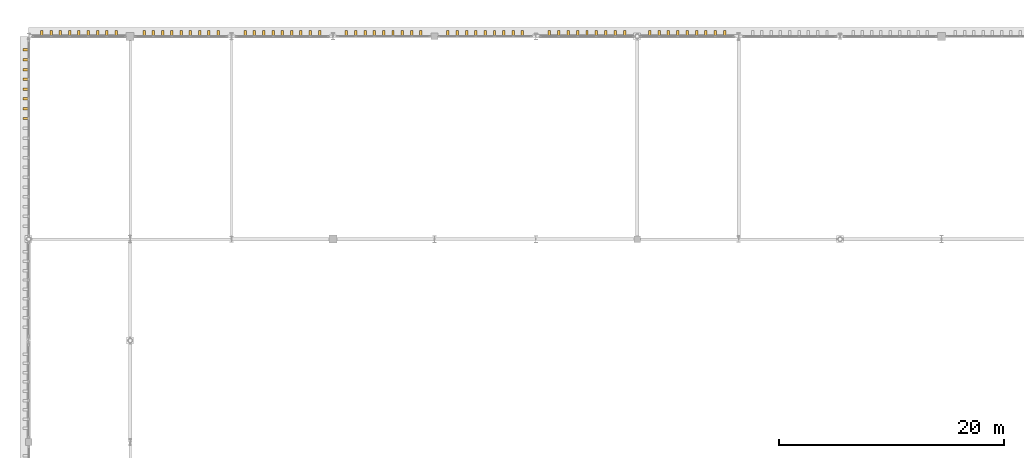
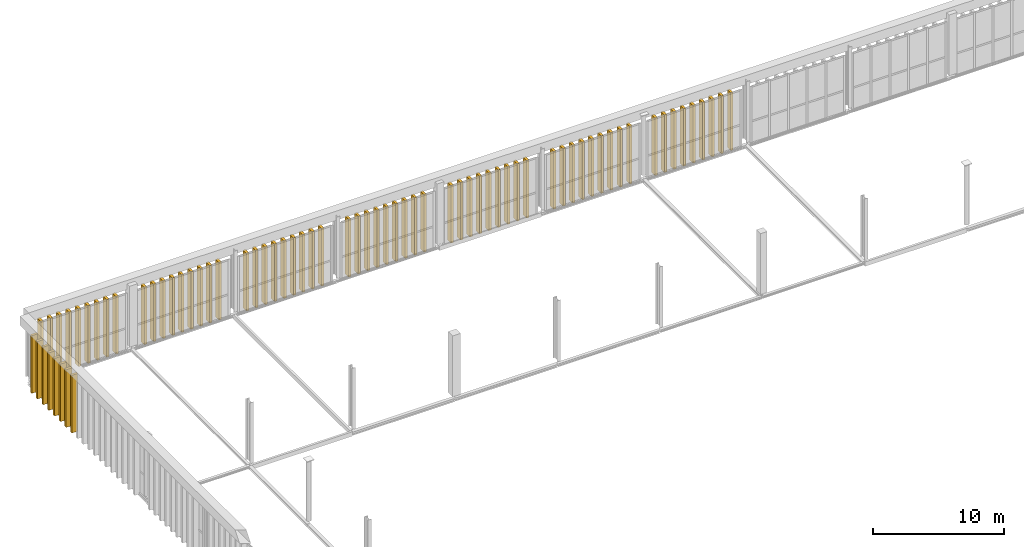
# One storey, part 235 of 237: 71 shading devices.
"""IFC4 building model written with IfcOpenShell, lengths in metres."""

import ifcopenshell
import ifcopenshell.guid

model = None  # the IFC model being written
_history = None  # IfcOwnerHistory: only IFC2X3 demands one
_inside = {}  # id of a spatial element -> (the spatial element, [elements in it])
_under = {}  # id of a project, library or spatial element -> (it, [spatial elements below it])
_declared = {}  # id of a project -> (the project, [libraries it declares])
_typed = {}  # id of a type object -> (the type object, [elements of that type])
_made_of = {}  # id of a material, layer set ... -> (it, [elements and type objects made of it])


def new_model(schema):
    """Start an empty IFC model of exactly this schema.

    Asked for "IFC4X3", IfcOpenShell would pick the latest addendum, in which some entities
    have other attributes; the version numbers below select the first issue.
    IFC2X3 requires an IfcOwnerHistory on every rooted entity: one is made here for all.
    """
    global model, _history
    if schema == "IFC4X3":
        model = ifcopenshell.file(schema_version=(4, 3, 0, 0))
    else:
        model = ifcopenshell.file(schema=schema)
    _inside.clear()
    _under.clear()
    _declared.clear()
    _typed.clear()
    _made_of.clear()
    _history = None
    if model.schema == "IFC2X3":
        org = make("IfcOrganization", Name="unknown")
        user = make(
            "IfcPersonAndOrganization",
            ThePerson=make("IfcPerson", FamilyName="unknown"),
            TheOrganization=org,
        )
        app = make(
            "IfcApplication",
            ApplicationDeveloper=org,
            Version="unknown",
            ApplicationFullName="unknown",
            ApplicationIdentifier="unknown",
        )
        _history = make(
            "IfcOwnerHistory",
            OwningUser=user,
            OwningApplication=app,
            ChangeAction="ADDED",
            CreationDate=0,
        )
    return model


def make(cls, **values):
    """One entity of the class cls with the attributes given. An attribute that is None is left unset."""
    return model.create_entity(
        cls, **{name: value for name, value in values.items() if value is not None}
    )


def rooted(cls, **values):
    """An entity with a GlobalId (a new one), such as an element, a storey or a relation."""
    return make(cls, GlobalId=ifcopenshell.guid.new(), OwnerHistory=_history, **values)


def si_unit(unit_type, name, prefix=None):
    """IfcSIUnit, for example si_unit("LENGTHUNIT", "METRE", prefix="MILLI")."""
    return make("IfcSIUnit", UnitType=unit_type, Prefix=prefix, Name=name)


def assignment(units):
    """IfcUnitAssignment: the units of a project."""
    return None if units is None else make("IfcUnitAssignment", Units=units)


def point(xyz):
    """IfcCartesianPoint."""
    return None if xyz is None else make("IfcCartesianPoint", Coordinates=xyz)


def direction(xyz):
    """IfcDirection."""
    return None if xyz is None else make("IfcDirection", DirectionRatios=xyz)


def frame(location, z_axis=None, x_axis=None):
    """IfcAxis2Placement3D, a coordinate frame: its origin and axes. An axis left out is left unset."""
    return make(
        "IfcAxis2Placement3D",
        Location=point(location),
        Axis=direction(z_axis),
        RefDirection=direction(x_axis),
    )


def frame_2d(location, x_axis=None):
    """IfcAxis2Placement2D, a coordinate frame in the plane: its origin and x axis."""
    return make(
        "IfcAxis2Placement2D", Location=point(location), RefDirection=direction(x_axis)
    )


def origin():
    """The frame at (0, 0, 0) with its axes left unset."""
    return frame((0.0, 0.0, 0.0))


def origin_2d():
    """The frame at (0, 0) in the plane with its x axis left unset."""
    return frame_2d((0.0, 0.0))


def place(relative_to, where):
    """IfcLocalPlacement: puts the frame where relative to a parent placement (None: the world)."""
    return make(
        "IfcLocalPlacement", PlacementRelTo=relative_to, RelativePlacement=where
    )


def context(
    kind, dimensions, precision=None, world=None, true_north=None, identifier=None
):
    """IfcGeometricRepresentationContext, for example the 3D "Model" context."""
    return make(
        "IfcGeometricRepresentationContext",
        ContextIdentifier=identifier,
        ContextType=kind,
        CoordinateSpaceDimension=dimensions,
        Precision=precision,
        WorldCoordinateSystem=world,
        TrueNorth=true_north,
    )


def subcontext(parent, identifier, kind, view, scale=None):
    """IfcGeometricRepresentationSubContext, for example "Body" below "Model"."""
    return make(
        "IfcGeometricRepresentationSubContext",
        ContextIdentifier=identifier,
        ContextType=kind,
        ParentContext=parent,
        TargetScale=scale,
        TargetView=view,
    )


def project(units=None, contexts=None):
    """IfcProject with its units and contexts."""
    return rooted(
        "IfcProject",
        Name="project",
        RepresentationContexts=contexts,
        UnitsInContext=assignment(units),
    )


def spatial(cls, under=None, at=None, **own):
    """A site, building, storey or space (cls), placed at a placement, below another one or the project."""
    s = rooted(cls, ObjectPlacement=at, **own)
    if under is not None:
        _under.setdefault(under.id(), (under, []))[1].append(s)
    return s


def profile(cls, at=None, kind="AREA", **sizes):
    """A parametric profile (cls). Its sizes go by their IFC names, for example OverallWidth=200.0."""
    return make(cls, ProfileType=kind, Position=at, **sizes)


def rectangle(**sizes):
    """IfcRectangleProfileDef."""
    return profile("IfcRectangleProfileDef", **sizes)


def extrude(swept, where, along, depth):
    """IfcExtrudedAreaSolid: the profile swept, set in the frame where, extruded along a direction by depth."""
    return make(
        "IfcExtrudedAreaSolid",
        SweptArea=swept,
        Position=where,
        ExtrudedDirection=direction(along),
        Depth=depth,
    )


def shape(context_of_items, identifier, shape_type, items):
    """IfcShapeRepresentation: the items that make up one representation, for example the "Body"."""
    return make(
        "IfcShapeRepresentation",
        ContextOfItems=context_of_items,
        RepresentationIdentifier=identifier,
        RepresentationType=shape_type,
        Items=items,
    )


def material(Name=None, Category=None):
    """IfcMaterial."""
    return make("IfcMaterial", Name=Name, Category=Category)


def made_of(thing, what):
    """Note that an element or type object is made of a material, layer set ...; save() writes the relation."""
    if what is not None:
        _made_of.setdefault(what.id(), (what, []))[1].append(thing)
    return thing


def type_object(cls, material=None, **own):
    """A type object (cls), such as IfcWallType, which elements share."""
    return made_of(rooted(cls, **own), material)


def element(
    cls,
    number,
    at=None,
    inside=None,
    cuts=None,
    type_object=None,
    material=None,
    context=None,
    identifier="Body",
    shape_type=None,
    held_by="IfcProductDefinitionShape",
    body=None,
    shapes=None,
    **own,
):
    """One element of the class cls, such as IfcWall. Its Tag is "e" and its number.

    at: its placement. inside: the storey or other place that contains it. cuts: it is an
    opening in that element (IfcRelVoidsElement). A single representation is given by context,
    identifier, shape_type and body (its items); several are given by shapes. held_by: the class
    of the entity that holds the representations. save() writes the other relations.
    """
    e = rooted(cls, Tag="e%d" % number, ObjectPlacement=at, **own)
    if body is not None:
        shapes = [shape(context, identifier, shape_type, body)]
    if shapes is not None:
        e.Representation = make(held_by, Representations=shapes)
    if inside is not None:
        _inside.setdefault(inside.id(), (inside, []))[1].append(e)
    if cuts is not None:
        rooted(
            "IfcRelVoidsElement", RelatingBuildingElement=cuts, RelatedOpeningElement=e
        )
    if type_object is not None:
        _typed.setdefault(type_object.id(), (type_object, []))[1].append(e)
    return made_of(e, material)


def aggregate(whole, parts):
    """IfcRelAggregates: a whole, such as a stair, and the parts it consists of."""
    return rooted("IfcRelAggregates", RelatingObject=whole, RelatedObjects=parts)


def save(model, path):
    """Write the relations noted so far, then the file.

    IfcRelAggregates (storeys below a building ...), IfcRelContainedInSpatialStructure (elements
    in a storey), IfcRelDefinesByType, IfcRelAssociatesMaterial and IfcRelDeclares: one each for
    every whole, place, type object, material and project.
    """
    for whole, parts in _under.values():
        aggregate(whole, parts)
    for where, things in _inside.values():
        rooted(
            "IfcRelContainedInSpatialStructure",
            RelatedElements=things,
            RelatingStructure=where,
        )
    for kind, things in _typed.values():
        rooted("IfcRelDefinesByType", RelatedObjects=things, RelatingType=kind)
    for what, things in _made_of.values():
        rooted("IfcRelAssociatesMaterial", RelatedObjects=things, RelatingMaterial=what)
    for by, libraries in _declared.values():
        rooted("IfcRelDeclares", RelatingContext=by, RelatedDefinitions=libraries)
    model.write(path)


model = new_model("IFC4")

# Units and contexts
model_context = context("Model", 3, precision=1e-05, world=origin(), true_north=direction((0.0, 1.0)))
body_context = subcontext(model_context, "Body", "Model", "MODEL_VIEW")
ifc_project = project(units=[si_unit("LENGTHUNIT", "METRE"), si_unit("AREAUNIT", "SQUARE_METRE"), si_unit("VOLUMEUNIT", "CUBIC_METRE"), si_unit("PLANEANGLEUNIT", "RADIAN"), si_unit("MASSUNIT", "GRAM", prefix="KILO")], contexts=[model_context])

# Site, building, storey
site_placement = place(None, origin())
site = spatial("IfcSite", under=ifc_project, at=site_placement, CompositionType="ELEMENT")
building_placement = place(site_placement, origin())
building = spatial("IfcBuilding", under=site, at=building_placement, Name="Barlavento Convention Centre", CompositionType="ELEMENT")
storey_placement = place(building_placement, frame((0.0, 0.0, 12.0)))
storey = spatial("IfcBuildingStorey", under=building, at=storey_placement, Name="L02", CompositionType="ELEMENT", Elevation=12.0)

# Shading devices
ifc_material = material(Name="PVDF white extruded aluminium", Category="aluminium")
shading_device_type = type_object("IfcShadingDeviceType", Name="ARC-SHD-FIN-480", PredefinedType="USERDEFINED", material=ifc_material)
for number, where, z_axis, x_axis, name in (
    (1, (-0.239990234375, 127.7080078125, -0.5), (0.0, 0.0, 1.0), (0.0, 1.0, 0.0), "White vertical solar shading fin VF01"),
    (2, (-0.239990234375, 128.576904296875, -0.5), (0.0, 0.0, 1.0), (0.0, 1.0, 0.0), "White vertical solar shading fin VF01"),
    (3, (-0.239990234375, 129.445556640625, -0.5), (0.0, 0.0, 1.0), (0.0, 1.0, 0.0), "White vertical solar shading fin VF01"),
    (4, (-0.239990234375, 130.314208984375, -0.5), (0.0, 0.0, 1.0), (0.0, 1.0, 0.0), "White vertical solar shading fin VF01"),
    (5, (-0.239990234375, 131.18310546875, -0.5), (0.0, 0.0, 1.0), (0.0, 1.0, 0.0), "White vertical solar shading fin VF01"),
    (6, (-0.239990234375, 132.0517578125, -0.5), (0.0, 0.0, 1.0), (0.0, 1.0, 0.0), "White vertical solar shading fin VF01"),
    (7, (-0.239990234375, 132.92041015625, -0.5), (0.0, 0.0, 1.0), (0.0, 1.0, 0.0), "White vertical solar shading fin VF01"),
    (8, (-0.239990234375, 133.789306640625, -0.5), (0.0, 0.0, 1.0), (0.0, 1.0, 0.0), "White vertical solar shading fin VF01"),
    (9, (1.15673828125, 135.239990234375, -0.5), (0.0, 0.0, 1.0), (1.0, 0.0, 0.0), "White vertical solar shading fin VF01"),
    (10, (1.981689453125, 135.239990234375, -0.5), (0.0, 0.0, 1.0), (1.0, 0.0, 0.0), "White vertical solar shading fin VF01"),
    (11, (2.806396484375, 135.239990234375, -0.5), (0.0, 0.0, 1.0), (1.0, 0.0, 0.0), "White vertical solar shading fin VF01"),
    (12, (3.631103515625, 135.239990234375, -0.5), (0.0, 0.0, 1.0), (1.0, 0.0, 0.0), "White vertical solar shading fin VF01"),
    (13, (4.4560546875, 135.239990234375, -0.5), (0.0, 0.0, 1.0), (1.0, 0.0, 0.0), "White vertical solar shading fin VF01"),
    (14, (5.28076171875, 135.239990234375, -0.5), (0.0, 0.0, 1.0), (1.0, 0.0, 0.0), "White vertical solar shading fin VF01"),
    (15, (6.105712890625, 135.239990234375, -0.5), (0.0, 0.0, 1.0), (1.0, 0.0, 0.0), "White vertical solar shading fin VF01"),
    (16, (6.930419921875, 135.239990234375, -0.5), (0.0, 0.0, 1.0), (1.0, 0.0, 0.0), "White vertical solar shading fin VF01"),
    (17, (7.755126953125, 135.239990234375, -0.5), (0.0, 0.0, 1.0), (1.0, 0.0, 0.0), "White vertical solar shading fin VF01"),
    (18, (10.239990234375, 135.239990234375, -0.5), (0.0, 0.0, 1.0), (1.0, 0.0, 0.0), "White vertical solar shading fin VF01"),
    (19, (11.06005859375, 135.239990234375, -0.5), (0.0, 0.0, 1.0), (1.0, 0.0, 0.0), "White vertical solar shading fin VF01"),
    (20, (11.8798828125, 135.239990234375, -0.5), (0.0, 0.0, 1.0), (1.0, 0.0, 0.0), "White vertical solar shading fin VF01"),
    (21, (12.699951171875, 135.239990234375, -0.5), (0.0, 0.0, 1.0), (1.0, 0.0, 0.0), "White vertical solar shading fin VF01"),
    (22, (13.52001953125, 135.239990234375, -0.5), (0.0, 0.0, 1.0), (1.0, 0.0, 0.0), "White vertical solar shading fin VF01"),
    (23, (14.340087890625, 135.239990234375, -0.5), (0.0, 0.0, 1.0), (1.0, 0.0, 0.0), "White vertical solar shading fin VF01"),
    (24, (15.159912109375, 135.239990234375, -0.5), (0.0, 0.0, 1.0), (1.0, 0.0, 0.0), "White vertical solar shading fin VF01"),
    (25, (15.97998046875, 135.239990234375, -0.5), (0.0, 0.0, 1.0), (1.0, 0.0, 0.0), "White vertical solar shading fin VF01"),
    (26, (16.800048828125, 135.239990234375, -0.5), (0.0, 0.0, 1.0), (1.0, 0.0, 0.0), "White vertical solar shading fin VF01"),
    (27, (19.205078125, 135.239990234375, -0.5), (0.0, 0.0, 1.0), (1.0, 0.0, 0.0), "White vertical solar shading fin VF01"),
    (28, (20.030029296875, 135.239990234375, -0.5), (0.0, 0.0, 1.0), (1.0, 0.0, 0.0), "White vertical solar shading fin VF01"),
    (29, (20.85498046875, 135.239990234375, -0.5), (0.0, 0.0, 1.0), (1.0, 0.0, 0.0), "White vertical solar shading fin VF01"),
    (30, (21.679931640625, 135.239990234375, -0.5), (0.0, 0.0, 1.0), (1.0, 0.0, 0.0), "White vertical solar shading fin VF01"),
    (31, (22.5048828125, 135.239990234375, -0.5), (0.0, 0.0, 1.0), (1.0, 0.0, 0.0), "White vertical solar shading fin VF01"),
    (32, (23.330078125, 135.239990234375, -0.5), (0.0, 0.0, 1.0), (1.0, 0.0, 0.0), "White vertical solar shading fin VF01"),
    (33, (24.155029296875, 135.239990234375, -0.5), (0.0, 0.0, 1.0), (1.0, 0.0, 0.0), "White vertical solar shading fin VF01"),
    (34, (24.97998046875, 135.239990234375, -0.5), (0.0, 0.0, 1.0), (1.0, 0.0, 0.0), "White vertical solar shading fin VF01"),
    (35, (25.804931640625, 135.239990234375, -0.5), (0.0, 0.0, 1.0), (1.0, 0.0, 0.0), "White vertical solar shading fin VF01"),
    (36, (28.196044921875, 135.239990234375, -0.5), (0.0, 0.0, 1.0), (1.0, 0.0, 0.0), "White vertical solar shading fin VF01"),
    (37, (29.02197265625, 135.239990234375, -0.5), (0.0, 0.0, 1.0), (1.0, 0.0, 0.0), "White vertical solar shading fin VF01"),
    (38, (29.847900390625, 135.239990234375, -0.5), (0.0, 0.0, 1.0), (1.0, 0.0, 0.0), "White vertical solar shading fin VF01"),
    (39, (30.674072265625, 135.239990234375, -0.5), (0.0, 0.0, 1.0), (1.0, 0.0, 0.0), "White vertical solar shading fin VF01"),
    (40, (31.5, 135.239990234375, -0.5), (0.0, 0.0, 1.0), (1.0, 0.0, 0.0), "White vertical solar shading fin VF01"),
    (41, (32.325927734375, 135.239990234375, -0.5), (0.0, 0.0, 1.0), (1.0, 0.0, 0.0), "White vertical solar shading fin VF01"),
    (42, (33.152099609375, 135.239990234375, -0.5), (0.0, 0.0, 1.0), (1.0, 0.0, 0.0), "White vertical solar shading fin VF01"),
    (43, (33.97802734375, 135.239990234375, -0.5), (0.0, 0.0, 1.0), (1.0, 0.0, 0.0), "White vertical solar shading fin VF01"),
    (44, (34.803955078125, 135.239990234375, -0.5), (0.0, 0.0, 1.0), (1.0, 0.0, 0.0), "White vertical solar shading fin VF01"),
    (45, (37.197509765625, 135.239990234375, -0.5), (0.0, 0.0, 1.0), (1.0, 0.0, 0.0), "White vertical solar shading fin VF01"),
    (46, (38.02490234375, 135.239990234375, -0.5), (0.0, 0.0, 1.0), (1.0, 0.0, 0.0), "White vertical solar shading fin VF01"),
    (47, (38.852294921875, 135.239990234375, -0.5), (0.0, 0.0, 1.0), (1.0, 0.0, 0.0), "White vertical solar shading fin VF01"),
    (48, (39.6796875, 135.239990234375, -0.5), (0.0, 0.0, 1.0), (1.0, 0.0, 0.0), "White vertical solar shading fin VF01"),
    (49, (40.507080078125, 135.239990234375, -0.5), (0.0, 0.0, 1.0), (1.0, 0.0, 0.0), "White vertical solar shading fin VF01"),
    (50, (41.33447265625, 135.239990234375, -0.5), (0.0, 0.0, 1.0), (1.0, 0.0, 0.0), "White vertical solar shading fin VF01"),
    (51, (42.161865234375, 135.239990234375, -0.5), (0.0, 0.0, 1.0), (1.0, 0.0, 0.0), "White vertical solar shading fin VF01"),
    (52, (42.9892578125, 135.239990234375, -0.5), (0.0, 0.0, 1.0), (1.0, 0.0, 0.0), "White vertical solar shading fin VF01"),
    (53, (43.816650390625, 135.239990234375, -0.5), (0.0, 0.0, 1.0), (1.0, 0.0, 0.0), "White vertical solar shading fin VF01"),
    (54, (46.193115234375, 135.239990234375, -0.5), (0.0, 0.0, 1.0), (1.0, 0.0, 0.0), "White vertical solar shading fin VF01"),
    (55, (47.0302734375, 135.239990234375, -0.5), (0.0, 0.0, 1.0), (1.0, 0.0, 0.0), "White vertical solar shading fin VF01"),
    (56, (47.8671875, 135.239990234375, -0.5), (0.0, 0.0, 1.0), (1.0, 0.0, 0.0), "White vertical solar shading fin VF01"),
    (57, (48.704345703125, 135.239990234375, -0.5), (0.0, 0.0, 1.0), (1.0, 0.0, 0.0), "White vertical solar shading fin VF01"),
    (58, (49.54150390625, 135.239990234375, -0.5), (0.0, 0.0, 1.0), (1.0, 0.0, 0.0), "White vertical solar shading fin VF01"),
    (59, (50.37841796875, 135.239990234375, -0.5), (0.0, 0.0, 1.0), (1.0, 0.0, 0.0), "White vertical solar shading fin VF01"),
    (60, (51.215576171875, 135.239990234375, -0.5), (0.0, 0.0, 1.0), (1.0, 0.0, 0.0), "White vertical solar shading fin VF01"),
    (61, (52.052490234375, 135.239990234375, -0.5), (0.0, 0.0, 1.0), (1.0, 0.0, 0.0), "White vertical solar shading fin VF01"),
    (62, (52.8896484375, 135.239990234375, -0.5), (0.0, 0.0, 1.0), (1.0, 0.0, 0.0), "White vertical solar shading fin VF01"),
    (63, (55.10546875, 135.239990234375, -0.5), (0.0, 0.0, 1.0), (1.0, 0.0, 0.0), "White vertical solar shading fin VF01"),
    (64, (55.937744140625, 135.239990234375, -0.5), (0.0, 0.0, 1.0), (1.0, 0.0, 0.0), "White vertical solar shading fin VF01"),
    (65, (56.77001953125, 135.239990234375, -0.5), (0.0, 0.0, 1.0), (1.0, 0.0, 0.0), "White vertical solar shading fin VF01"),
    (66, (57.602294921875, 135.239990234375, -0.5), (0.0, 0.0, 1.0), (1.0, 0.0, 0.0), "White vertical solar shading fin VF01"),
    (67, (58.4345703125, 135.239990234375, -0.5), (0.0, 0.0, 1.0), (1.0, 0.0, 0.0), "White vertical solar shading fin VF01"),
    (68, (59.266845703125, 135.239990234375, -0.5), (0.0, 0.0, 1.0), (1.0, 0.0, 0.0), "White vertical solar shading fin VF01"),
    (69, (60.09912109375, 135.239990234375, -0.5), (0.0, 0.0, 1.0), (1.0, 0.0, 0.0), "White vertical solar shading fin VF01"),
    (70, (60.931396484375, 135.239990234375, -0.5), (0.0, 0.0, 1.0), (1.0, 0.0, 0.0), "White vertical solar shading fin VF01"),
    (71, (61.763671875, 135.239990234375, -0.5), (0.0, 0.0, 1.0), (1.0, 0.0, 0.0), "White vertical solar shading fin VF01"),
):
    element("IfcShadingDevice", number, at=place(storey_placement, frame(where, z_axis=z_axis, x_axis=x_axis)), inside=storey, type_object=shading_device_type, Name=name, ObjectType="FIN", PredefinedType="USERDEFINED", context=body_context, shape_type="SweptSolid", body=[
        extrude(rectangle(XDim=0.219970703125, YDim=0.52001953125, at=origin_2d()), origin(), (0.0, 0.0, 1.0), 5.35009765625),
    ])

save(model, "model.ifc")
